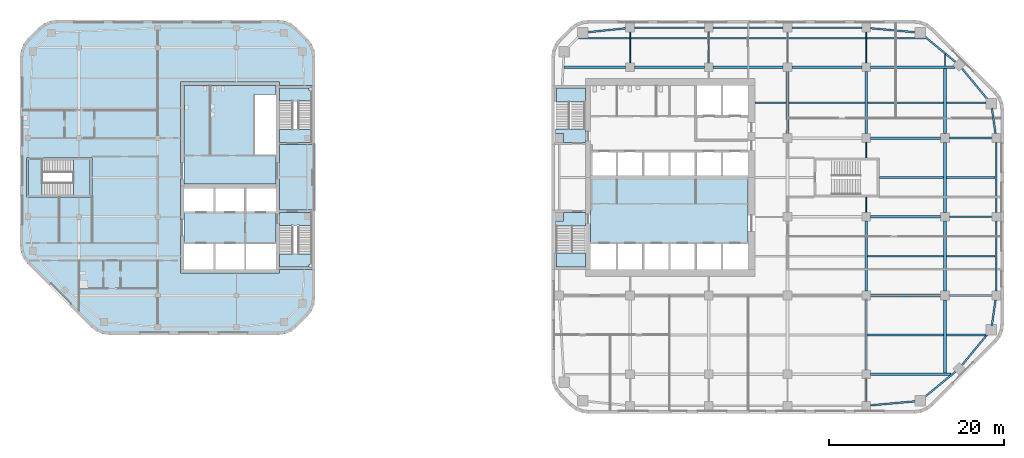
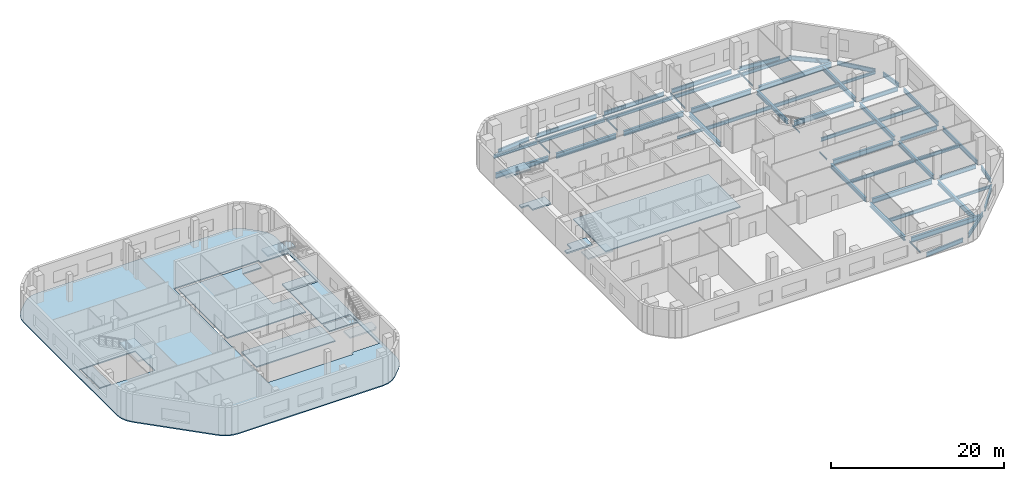
# One storey, part 3 of 14: 57 beams, 14 slabs, 5 elements without a shape of their own.
"""IFC4 building model written with IfcOpenShell, lengths in metres."""

from ifc_helpers import new_model, si_unit, direction, frame, origin, origin_2d, place, context, subcontext, project, spatial, polyline, i_section, outline, extrude, material, layer, layer_set, material_profile, profile_set, type_object, element, aggregate, save


model = new_model("IFC4")

# Units and contexts
model_context = context("Model", 3, precision=1e-05, world=origin(), true_north=direction((0.0, 1.0)))
body_context = subcontext(model_context, "Body", "Model", "MODEL_VIEW")
ifc_project = project(units=[si_unit("LENGTHUNIT", "METRE"), si_unit("AREAUNIT", "SQUARE_METRE"), si_unit("VOLUMEUNIT", "CUBIC_METRE"), si_unit("PLANEANGLEUNIT", "RADIAN"), si_unit("MASSUNIT", "GRAM", prefix="KILO")], contexts=[model_context])

# Site, building, storey
site_placement = place(None, origin())
site = spatial("IfcSite", under=ifc_project, at=site_placement, CompositionType="ELEMENT")
building_placement = place(site_placement, origin())
building = spatial("IfcBuilding", under=site, at=building_placement, Name="Cinnabar Reach Civic Tower", CompositionType="ELEMENT")
storey_placement = place(building_placement, frame((0.0, 0.0, 124.0)))
storey = spatial("IfcBuildingStorey", under=building, at=storey_placement, Name="L29", CompositionType="ELEMENT", Elevation=124.0)

# Beams
ifc_material_1 = material(Name="Steel Q355B", Category="steel")
ifc_material_profile_1 = material_profile(ifc_material_1, i_section(OverallWidth=0.302, OverallDepth=0.594, WebThickness=0.014, FlangeThickness=0.023, FilletRadius=0.016, at=origin_2d()), Name="HM594x302x14x23")
ifc_profile_set_1 = profile_set([ifc_material_profile_1], Name="Steel Q355B")
beam_type_1 = type_object("IfcBeamType", Name="HM594x302x14x23 beam R 180", PredefinedType="BEAM", material=ifc_profile_set_1)
beam_1_placement = place(storey_placement, frame((27.0, 36.502, -0.447), z_axis=(0.0, 1.0, 0.0), x_axis=(-1.0, 0.0, 0.0)))
element("IfcBeam", 1, at=beam_1_placement, inside=storey, type_object=beam_type_1, Name="Girder T1 L29 13", PredefinedType="BEAM", context=body_context, shape_type="SweptSolid", body=[
    extrude(i_section(OverallWidth=0.302, OverallDepth=0.594, WebThickness=0.014, FlangeThickness=0.023, FilletRadius=0.016, at=origin_2d()), origin(), (0.0, 0.0, 1.0), 7.096),
])
for number, where, z_axis, x_axis, name in (
    (2, (36.0, 9.502, -0.447), (0.0, 1.0, 0.0), (-1.0, 0.0, 0.0), "Girder T1 L29 16"),
    (3, (36.0, 18.502, -0.447), (0.0, 1.0, 0.0), (-1.0, 0.0, 0.0), "Girder T1 L29 17"),
):
    element("IfcBeam", number, at=place(storey_placement, frame(where, z_axis=z_axis, x_axis=x_axis)), inside=storey, type_object=beam_type_1, Name=name, PredefinedType="BEAM", context=body_context, shape_type="SweptSolid", body=[
        extrude(i_section(OverallWidth=0.302, OverallDepth=0.594, WebThickness=0.014, FlangeThickness=0.023, FilletRadius=0.016, at=origin_2d()), origin(), (0.0, 0.0, 1.0), 7.996),
    ])
beam_2_placement = place(storey_placement, frame((36.0, 36.502, -0.447), z_axis=(0.0, 1.0, 0.0), x_axis=(-1.0, 0.0, 0.0)))
element("IfcBeam", 4, at=beam_2_placement, inside=storey, type_object=beam_type_1, Name="Girder T1 L29 20", PredefinedType="BEAM", context=body_context, shape_type="SweptSolid", body=[
    extrude(i_section(OverallWidth=0.302, OverallDepth=0.594, WebThickness=0.014, FlangeThickness=0.023, FilletRadius=0.016, at=origin_2d()), origin(), (0.0, 0.0, 1.0), 7.096),
])
beam_3_placement = place(storey_placement, frame((45.0, 9.152, -0.447), z_axis=(0.0, 1.0, 0.0), x_axis=(-1.0, 0.0, 0.0)))
element("IfcBeam", 5, at=beam_3_placement, inside=storey, type_object=beam_type_1, Name="Girder T1 L29 22", PredefinedType="BEAM", context=body_context, shape_type="SweptSolid", body=[
    extrude(i_section(OverallWidth=0.302, OverallDepth=0.594, WebThickness=0.014, FlangeThickness=0.023, FilletRadius=0.016, at=origin_2d()), origin(), (0.0, 0.0, 1.0), 8.346),
])
for number, where, z_axis, x_axis, name in (
    (6, (45.0, 18.502, -0.447), (0.0, 1.0, 0.0), (-1.0, 0.0, 0.0), "Girder T1 L29 23"),
    (7, (45.0, 27.502, -0.447), (0.0, 1.0, 0.0), (-1.0, 0.0, 0.0), "Girder T1 L29 24"),
):
    element("IfcBeam", number, at=place(storey_placement, frame(where, z_axis=z_axis, x_axis=x_axis)), inside=storey, type_object=beam_type_1, Name=name, PredefinedType="BEAM", context=body_context, shape_type="SweptSolid", body=[
        extrude(i_section(OverallWidth=0.302, OverallDepth=0.594, WebThickness=0.014, FlangeThickness=0.023, FilletRadius=0.016, at=origin_2d()), origin(), (0.0, 0.0, 1.0), 7.996),
    ])
beam_4_placement = place(storey_placement, frame((45.0, 36.502, -0.447), z_axis=(0.0, 1.0, 0.0), x_axis=(-1.0, 0.0, 0.0)))
element("IfcBeam", 8, at=beam_4_placement, inside=storey, type_object=beam_type_1, Name="Girder T1 L29 25", PredefinedType="BEAM", context=body_context, shape_type="SweptSolid", body=[
    extrude(i_section(OverallWidth=0.302, OverallDepth=0.594, WebThickness=0.014, FlangeThickness=0.023, FilletRadius=0.016, at=origin_2d()), origin(), (0.0, 0.0, 1.0), 7.446),
])
ifc_material_profile_2 = material_profile(ifc_material_1, i_section(OverallWidth=0.099, OverallDepth=0.198, WebThickness=0.0045, FlangeThickness=0.007, FilletRadius=0.013, at=origin_2d()), Name="HN200x100x5.5x8")
ifc_profile_set_2 = profile_set([ifc_material_profile_2], Name="Steel Q355B")
beam_type_2 = type_object("IfcBeamType", Name="HN200x100x5.5x8 beam R 180", PredefinedType="BEAM", material=ifc_profile_set_2)
for number, where, z_axis, x_axis, name in (
    (9, (9.0, 44.602, -0.249), (0.0, 1.0, 0.0), (-1.0, 0.0, 0.0), "Girder T1 L29 4"),
    (10, (18.0, 44.602, -0.249), (0.0, 1.0, 0.0), (-1.0, 0.0, 0.0), "Girder T1 L29 8"),
    (11, (27.0, 44.602, -0.249), (0.0, 1.0, 0.0), (-1.0, 0.0, 0.0), "Girder T1 L29 14"),
):
    element("IfcBeam", number, at=place(storey_placement, frame(where, z_axis=z_axis, x_axis=x_axis)), inside=storey, type_object=beam_type_2, Name=name, PredefinedType="BEAM", context=body_context, shape_type="SweptSolid", body=[
        extrude(i_section(OverallWidth=0.099, OverallDepth=0.198, WebThickness=0.0045, FlangeThickness=0.007, FilletRadius=0.013, at=origin_2d()), origin(), (0.0, 0.0, 1.0), 3.496),
    ])
beam_5_placement = place(storey_placement, frame((36.0, 5.902, -0.249), z_axis=(0.0, 1.0, 0.0), x_axis=(-1.0, 0.0, 0.0)))
element("IfcBeam", 12, at=beam_5_placement, inside=storey, type_object=beam_type_2, Name="Girder T1 L29 15", PredefinedType="BEAM", context=body_context, shape_type="SweptSolid", body=[
    extrude(i_section(OverallWidth=0.099, OverallDepth=0.198, WebThickness=0.0045, FlangeThickness=0.007, FilletRadius=0.013, at=origin_2d()), origin(), (0.0, 0.0, 1.0), 2.596),
])
for number, where, z_axis, x_axis, name in (
    (13, (36.0, 27.502, -0.249), (0.0, 1.0, 0.0), (-1.0, 0.0, 0.0), "Girder T1 L29 18"),
    (14, (36.0, 33.752, -0.249), (0.0, 1.0, 0.0), (-1.0, 0.0, 0.0), "Girder T1 L29 19"),
):
    element("IfcBeam", number, at=place(storey_placement, frame(where, z_axis=z_axis, x_axis=x_axis)), inside=storey, type_object=beam_type_2, Name=name, PredefinedType="BEAM", context=body_context, shape_type="SweptSolid", body=[
        extrude(i_section(OverallWidth=0.099, OverallDepth=0.198, WebThickness=0.0045, FlangeThickness=0.007, FilletRadius=0.013, at=origin_2d()), origin(), (0.0, 0.0, 1.0), 1.746),
    ])
beam_6_placement = place(storey_placement, frame((36.0, 44.602, -0.249), z_axis=(0.0, 1.0, 0.0), x_axis=(-1.0, 0.0, 0.0)))
element("IfcBeam", 15, at=beam_6_placement, inside=storey, type_object=beam_type_2, Name="Girder T1 L29 21", PredefinedType="BEAM", context=body_context, shape_type="SweptSolid", body=[
    extrude(i_section(OverallWidth=0.099, OverallDepth=0.198, WebThickness=0.0045, FlangeThickness=0.007, FilletRadius=0.013, at=origin_2d()), origin(), (0.0, 0.0, 1.0), 3.496),
])
beam_7_placement = place(storey_placement, frame((45.0, 44.252, -0.249), z_axis=(0.0, 1.0, 0.0), x_axis=(-1.0, 0.0, 0.0)))
element("IfcBeam", 16, at=beam_7_placement, inside=storey, type_object=beam_type_2, Name="Girder T1 L29 26", PredefinedType="BEAM", context=body_context, shape_type="SweptSolid", body=[
    extrude(i_section(OverallWidth=0.099, OverallDepth=0.198, WebThickness=0.0045, FlangeThickness=0.007, FilletRadius=0.013, at=origin_2d()), origin(), (0.0, 0.0, 1.0), 1.3103),
])
ifc_material_profile_3 = material_profile(ifc_material_1, i_section(OverallWidth=0.199, OverallDepth=0.396, WebThickness=0.007, FlangeThickness=0.011, FilletRadius=0.013, at=origin_2d()), Name="HN396x199x7x11")
ifc_profile_set_3 = profile_set([ifc_material_profile_3], Name="Steel Q355B")
beam_type_3 = type_object("IfcBeamType", Name="HN396x199x7x11 beam R 180", PredefinedType="BEAM", material=ifc_profile_set_3)
beam_8_placement = place(storey_placement, frame((45.153, 13.5, -0.348), z_axis=(1.0, 0.0, 0.0), x_axis=(0.0, 1.0, 0.0)))
element("IfcBeam", 17, at=beam_8_placement, inside=storey, type_object=beam_type_3, Name="Secondary beam T1 L29 6", PredefinedType="BEAM", context=body_context, shape_type="SweptSolid", body=[
    extrude(i_section(OverallWidth=0.199, OverallDepth=0.396, WebThickness=0.007, FlangeThickness=0.011, FilletRadius=0.013, at=origin_2d()), origin(), (0.0, 0.0, 1.0), 4.5152),
])
beam_9_placement = place(storey_placement, frame((23.302, 40.05, -0.348), z_axis=(1.0, 0.0, 0.0), x_axis=(0.0, 1.0, 0.0)))
element("IfcBeam", 18, at=beam_9_placement, inside=storey, type_object=beam_type_3, Name="Secondary beam T1 L29 16", PredefinedType="BEAM", context=body_context, shape_type="SweptSolid", body=[
    extrude(i_section(OverallWidth=0.199, OverallDepth=0.396, WebThickness=0.007, FlangeThickness=0.011, FilletRadius=0.013, at=origin_2d()), origin(), (0.0, 0.0, 1.0), 3.545),
])
beam_10_placement = place(storey_placement, frame((45.153, 40.05, -0.348), z_axis=(1.0, 0.0, 0.0), x_axis=(0.0, 1.0, 0.0)))
element("IfcBeam", 19, at=beam_10_placement, inside=storey, type_object=beam_type_3, Name="Secondary beam T1 L29 19", PredefinedType="BEAM", context=body_context, shape_type="SweptSolid", body=[
    extrude(i_section(OverallWidth=0.199, OverallDepth=0.396, WebThickness=0.007, FlangeThickness=0.011, FilletRadius=0.013, at=origin_2d()), origin(), (0.0, 0.0, 1.0), 4.5419),
])
ifc_material_profile_4 = material_profile(ifc_material_1, i_section(OverallWidth=0.199, OverallDepth=0.496, WebThickness=0.009, FlangeThickness=0.014, FilletRadius=0.016, at=origin_2d()), Name="HN496x199x9x14")
ifc_profile_set_4 = profile_set([ifc_material_profile_4], Name="Steel Q355B")
beam_type_4 = type_object("IfcBeamType", Name="HN496x199x9x14 beam R 180", PredefinedType="BEAM", material=ifc_profile_set_4)
for number, where, z_axis, x_axis, name in (
    (20, (36.153, 13.5, -0.398), (1.0, 0.0, 0.0), (0.0, 1.0, 0.0), "Secondary beam T1 L29 5"),
    (21, (36.153, 22.5, -0.398), (1.0, 0.0, 0.0), (0.0, 1.0, 0.0), "Secondary beam T1 L29 9"),
):
    element("IfcBeam", number, at=place(storey_placement, frame(where, z_axis=z_axis, x_axis=x_axis)), inside=storey, type_object=beam_type_4, Name=name, PredefinedType="BEAM", context=body_context, shape_type="SweptSolid", body=[
        extrude(i_section(OverallWidth=0.199, OverallDepth=0.496, WebThickness=0.009, FlangeThickness=0.014, FilletRadius=0.016, at=origin_2d()), origin(), (0.0, 0.0, 1.0), 8.694),
    ])
beam_11_placement = place(storey_placement, frame((45.153, 22.5, -0.398), z_axis=(1.0, 0.0, 0.0), x_axis=(0.0, 1.0, 0.0)))
element("IfcBeam", 22, at=beam_11_placement, inside=storey, type_object=beam_type_4, Name="Secondary beam T1 L29 10", PredefinedType="BEAM", context=body_context, shape_type="SweptSolid", body=[
    extrude(i_section(OverallWidth=0.199, OverallDepth=0.496, WebThickness=0.009, FlangeThickness=0.014, FilletRadius=0.016, at=origin_2d()), origin(), (0.0, 0.0, 1.0), 5.595),
])
beam_12_placement = place(storey_placement, frame((37.502, 31.5, -0.398), z_axis=(1.0, 0.0, 0.0), x_axis=(0.0, 1.0, 0.0)))
element("IfcBeam", 23, at=beam_12_placement, inside=storey, type_object=beam_type_4, Name="Secondary beam T1 L29 14", PredefinedType="BEAM", context=body_context, shape_type="SweptSolid", body=[
    extrude(i_section(OverallWidth=0.199, OverallDepth=0.496, WebThickness=0.009, FlangeThickness=0.014, FilletRadius=0.016, at=origin_2d()), origin(), (0.0, 0.0, 1.0), 7.345),
])
beam_13_placement = place(storey_placement, frame((45.153, 31.5, -0.398), z_axis=(1.0, 0.0, 0.0), x_axis=(0.0, 1.0, 0.0)))
element("IfcBeam", 24, at=beam_13_placement, inside=storey, type_object=beam_type_4, Name="Secondary beam T1 L29 15", PredefinedType="BEAM", context=body_context, shape_type="SweptSolid", body=[
    extrude(i_section(OverallWidth=0.199, OverallDepth=0.496, WebThickness=0.009, FlangeThickness=0.014, FilletRadius=0.016, at=origin_2d()), origin(), (0.0, 0.0, 1.0), 5.595),
])
for number, where, z_axis, x_axis, name in (
    (25, (27.153, 40.05, -0.398), (1.0, 0.0, 0.0), (0.0, 1.0, 0.0), "Secondary beam T1 L29 17"),
    (26, (36.153, 40.05, -0.398), (1.0, 0.0, 0.0), (0.0, 1.0, 0.0), "Secondary beam T1 L29 18"),
):
    element("IfcBeam", number, at=place(storey_placement, frame(where, z_axis=z_axis, x_axis=x_axis)), inside=storey, type_object=beam_type_4, Name=name, PredefinedType="BEAM", context=body_context, shape_type="SweptSolid", body=[
        extrude(i_section(OverallWidth=0.199, OverallDepth=0.496, WebThickness=0.009, FlangeThickness=0.014, FilletRadius=0.016, at=origin_2d()), origin(), (0.0, 0.0, 1.0), 8.694),
    ])
beam_14_placement = place(storey_placement, frame((3.0992, 47.4, -0.398), z_axis=(1.0, 0.0, 0.0), x_axis=(0.0, 1.0, 0.0)))
element("IfcBeam", 27, at=beam_14_placement, inside=storey, type_object=beam_type_4, Name="Secondary beam T1 L29 20", PredefinedType="BEAM", context=body_context, shape_type="SweptSolid", body=[
    extrude(i_section(OverallWidth=0.199, OverallDepth=0.496, WebThickness=0.009, FlangeThickness=0.014, FilletRadius=0.016, at=origin_2d()), origin(), (0.0, 0.0, 1.0), 5.8493),
])
for number, where, z_axis, x_axis, name in (
    (28, (9.0515, 47.4, -0.398), (1.0, 0.0, 0.0), (0.0, 1.0, 0.0), "Secondary beam T1 L29 21"),
    (29, (18.0515, 47.4, -0.398), (1.0, 0.0, 0.0), (0.0, 1.0, 0.0), "Secondary beam T1 L29 22"),
    (30, (27.0515, 47.4, -0.398), (1.0, 0.0, 0.0), (0.0, 1.0, 0.0), "Secondary beam T1 L29 23"),
):
    element("IfcBeam", number, at=place(storey_placement, frame(where, z_axis=z_axis, x_axis=x_axis)), inside=storey, type_object=beam_type_4, Name=name, PredefinedType="BEAM", context=body_context, shape_type="SweptSolid", body=[
        extrude(i_section(OverallWidth=0.199, OverallDepth=0.496, WebThickness=0.009, FlangeThickness=0.014, FilletRadius=0.016, at=origin_2d()), origin(), (0.0, 0.0, 1.0), 8.897),
    ])
beam_15_placement = place(storey_placement, frame((36.0515, 47.4, -0.398), z_axis=(1.0, 0.0, 0.0), x_axis=(0.0, 1.0, 0.0)))
element("IfcBeam", 31, at=beam_15_placement, inside=storey, type_object=beam_type_4, Name="Secondary beam T1 L29 24", PredefinedType="BEAM", context=body_context, shape_type="SweptSolid", body=[
    extrude(i_section(OverallWidth=0.199, OverallDepth=0.496, WebThickness=0.009, FlangeThickness=0.014, FilletRadius=0.016, at=origin_2d()), origin(), (0.0, 0.0, 1.0), 6.7206),
])
ifc_material_profile_5 = material_profile(ifc_material_1, i_section(OverallWidth=0.199, OverallDepth=0.596, WebThickness=0.01, FlangeThickness=0.015, FilletRadius=0.016, at=origin_2d()), Name="HN596x199x10x15")
ifc_profile_set_5 = profile_set([ifc_material_profile_5], Name="Steel Q355B")
beam_type_5 = type_object("IfcBeamType", Name="HN596x199x10x15 beam R 180", PredefinedType="BEAM", material=ifc_profile_set_5)
for number, where, z_axis, x_axis, name in (
    (32, (45.502, 18.0, -0.448), (1.0, 0.0, 0.0), (0.0, 1.0, 0.0), "Girder T1 L29 11"),
    (33, (45.502, 27.0, -0.448), (1.0, 0.0, 0.0), (0.0, 1.0, 0.0), "Girder T1 L29 15"),
    (34, (45.502, 36.0, -0.448), (1.0, 0.0, 0.0), (0.0, 1.0, 0.0), "Girder T1 L29 19"),
):
    element("IfcBeam", number, at=place(storey_placement, frame(where, z_axis=z_axis, x_axis=x_axis)), inside=storey, type_object=beam_type_5, Name=name, PredefinedType="BEAM", context=body_context, shape_type="SweptSolid", body=[
        extrude(i_section(OverallWidth=0.199, OverallDepth=0.596, WebThickness=0.01, FlangeThickness=0.015, FilletRadius=0.016, at=origin_2d()), origin(), (0.0, 0.0, 1.0), 4.846),
    ])
ifc_material_profile_6 = material_profile(ifc_material_1, i_section(OverallWidth=0.2, OverallDepth=0.6, WebThickness=0.011, FlangeThickness=0.017, FilletRadius=0.016, at=origin_2d()), Name="HN600x200x11x17")
ifc_profile_set_6 = profile_set([ifc_material_profile_6], Name="Steel Q355B")
beam_type_6 = type_object("IfcBeamType", Name="HN600x200x11x17 beam R 180", PredefinedType="BEAM", material=ifc_profile_set_6)
beam_16_placement = place(storey_placement, frame((36.502, 5.4452, -0.45), z_axis=(0.995979069281, 0.089586235294, 0.0), x_axis=(-0.089586235294, 0.995979069281, 0.0)))
element("IfcBeam", 35, at=beam_16_placement, inside=storey, type_object=beam_type_6, Name="Edge beam T1 L29 5", PredefinedType="BEAM", context=body_context, shape_type="SweptSolid", body=[
    extrude(i_section(OverallWidth=0.2, OverallDepth=0.6, WebThickness=0.011, FlangeThickness=0.017, FilletRadius=0.016, at=origin_2d()), origin(), (0.0, 0.0, 1.0), 5.1849),
])
for number, where, z_axis, x_axis, name in (
    (36, (42.6301, 6.3507, -0.45), (0.77143827905, 0.6363041581, 0.0), (-0.6363041581, 0.77143827905, 0.0), "Edge beam T1 L29 6"),
    (37, (46.8961, 9.9789, -0.45), (0.6363041581, 0.77143827905, 0.0), (-0.77143827905, 0.6363041581, 0.0), "Edge beam T1 L29 7"),
):
    element("IfcBeam", number, at=place(storey_placement, frame(where, z_axis=z_axis, x_axis=x_axis)), inside=storey, type_object=beam_type_6, Name=name, PredefinedType="BEAM", context=body_context, shape_type="SweptSolid", body=[
        extrude(i_section(OverallWidth=0.2, OverallDepth=0.6, WebThickness=0.011, FlangeThickness=0.017, FilletRadius=0.016, at=origin_2d()), origin(), (0.0, 0.0, 1.0), 4.7198),
    ])
beam_17_placement = place(storey_placement, frame((50.3653, 14.5839, -0.45), z_axis=(0.140489003738, 0.990082238922, 0.0), x_axis=(-0.990082238922, 0.140489003738, 0.0)))
element("IfcBeam", 38, at=beam_17_placement, inside=storey, type_object=beam_type_6, Name="Edge beam T1 L29 8", PredefinedType="BEAM", context=body_context, shape_type="SweptSolid", body=[
    extrude(i_section(OverallWidth=0.2, OverallDepth=0.6, WebThickness=0.011, FlangeThickness=0.017, FilletRadius=0.016, at=origin_2d()), origin(), (0.0, 0.0, 1.0), 2.9433),
])
for number, where, z_axis, x_axis, name in (
    (39, (50.85, 18.502, -0.45), (0.0, 1.0, 0.0), (-1.0, 0.0, 0.0), "Edge beam T1 L29 9"),
    (40, (50.85, 27.502, -0.45), (0.0, 1.0, 0.0), (-1.0, 0.0, 0.0), "Edge beam T1 L29 10"),
):
    element("IfcBeam", number, at=place(storey_placement, frame(where, z_axis=z_axis, x_axis=x_axis)), inside=storey, type_object=beam_type_6, Name=name, PredefinedType="BEAM", context=body_context, shape_type="SweptSolid", body=[
        extrude(i_section(OverallWidth=0.2, OverallDepth=0.6, WebThickness=0.011, FlangeThickness=0.017, FilletRadius=0.016, at=origin_2d()), origin(), (0.0, 0.0, 1.0), 7.996),
    ])
beam_18_placement = place(storey_placement, frame((50.7788, 36.502, -0.45), z_axis=(-0.140489003738, 0.990082238922, 0.0), x_axis=(-0.990082238922, -0.140489003738, 0.0)))
element("IfcBeam", 41, at=beam_18_placement, inside=storey, type_object=beam_type_6, Name="Edge beam T1 L29 11", PredefinedType="BEAM", context=body_context, shape_type="SweptSolid", body=[
    extrude(i_section(OverallWidth=0.2, OverallDepth=0.6, WebThickness=0.011, FlangeThickness=0.017, FilletRadius=0.016, at=origin_2d()), origin(), (0.0, 0.0, 1.0), 2.9433),
])
for number, where, z_axis, x_axis, name in (
    (42, (49.8993, 40.3801, -0.45), (-0.6363041581, 0.77143827905, 0.0), (-0.77143827905, -0.6363041581, 0.0), "Edge beam T1 L29 12"),
    (43, (46.2711, 44.6461, -0.45), (-0.77143827905, 0.6363041581, 0.0), (-0.6363041581, -0.77143827905, 0.0), "Edge beam T1 L29 13"),
):
    element("IfcBeam", number, at=place(storey_placement, frame(where, z_axis=z_axis, x_axis=x_axis)), inside=storey, type_object=beam_type_6, Name=name, PredefinedType="BEAM", context=body_context, shape_type="SweptSolid", body=[
        extrude(i_section(OverallWidth=0.2, OverallDepth=0.6, WebThickness=0.011, FlangeThickness=0.017, FilletRadius=0.016, at=origin_2d()), origin(), (0.0, 0.0, 1.0), 4.7198),
    ])
beam_19_placement = place(storey_placement, frame((41.6661, 48.0903, -0.45), z_axis=(-0.995979069281, 0.089586235294, 0.0), x_axis=(-0.089586235294, -0.995979069281, 0.0)))
element("IfcBeam", 44, at=beam_19_placement, inside=storey, type_object=beam_type_6, Name="Edge beam T1 L29 14", PredefinedType="BEAM", context=body_context, shape_type="SweptSolid", body=[
    extrude(i_section(OverallWidth=0.2, OverallDepth=0.6, WebThickness=0.011, FlangeThickness=0.017, FilletRadius=0.016, at=origin_2d()), origin(), (0.0, 0.0, 1.0), 5.1849),
])
for number, where, z_axis, x_axis, name in (
    (45, (35.498, 48.6, -0.45), (-1.0, 0.0, 0.0), (0.0, -1.0, 0.0), "Edge beam T1 L29 15"),
    (46, (26.498, 48.6, -0.45), (-1.0, 0.0, 0.0), (0.0, -1.0, 0.0), "Edge beam T1 L29 16"),
    (47, (17.498, 48.6, -0.45), (-1.0, 0.0, 0.0), (0.0, -1.0, 0.0), "Edge beam T1 L29 17"),
):
    element("IfcBeam", number, at=place(storey_placement, frame(where, z_axis=z_axis, x_axis=x_axis)), inside=storey, type_object=beam_type_6, Name=name, PredefinedType="BEAM", context=body_context, shape_type="SweptSolid", body=[
        extrude(i_section(OverallWidth=0.2, OverallDepth=0.6, WebThickness=0.011, FlangeThickness=0.017, FilletRadius=0.016, at=origin_2d()), origin(), (0.0, 0.0, 1.0), 7.996),
    ])
beam_20_placement = place(storey_placement, frame((8.498, 48.5486, -0.45), z_axis=(-0.994791228755, -0.101933366432, 0.0), x_axis=(0.101933366432, -0.994791228755, 0.0)))
element("IfcBeam", 48, at=beam_20_placement, inside=storey, type_object=beam_type_6, Name="Edge beam T1 L29 18", PredefinedType="BEAM", context=body_context, shape_type="SweptSolid", body=[
    extrude(i_section(OverallWidth=0.2, OverallDepth=0.6, WebThickness=0.011, FlangeThickness=0.017, FilletRadius=0.016, at=origin_2d()), origin(), (0.0, 0.0, 1.0), 4.4372),
])
ifc_material_profile_7 = material_profile(ifc_material_1, i_section(OverallWidth=0.3, OverallDepth=0.692, WebThickness=0.013, FlangeThickness=0.02, FilletRadius=0.016, at=origin_2d()), Name="HN692x300x13x20")
ifc_profile_set_7 = profile_set([ifc_material_profile_7], Name="Steel Q355B")
beam_type_7 = type_object("IfcBeamType", Name="HN692x300x13x20 beam R 180", PredefinedType="BEAM", material=ifc_profile_set_7)
beam_21_placement = place(storey_placement, frame((36.502, 9.0, -0.496), z_axis=(1.0, 0.0, 0.0), x_axis=(0.0, 1.0, 0.0)))
element("IfcBeam", 49, at=beam_21_placement, inside=storey, type_object=beam_type_7, Name="Girder T1 L29 5", PredefinedType="BEAM", context=body_context, shape_type="SweptSolid", body=[
    extrude(i_section(OverallWidth=0.3, OverallDepth=0.692, WebThickness=0.013, FlangeThickness=0.02, FilletRadius=0.016, at=origin_2d()), origin(), (0.0, 0.0, 1.0), 9.1798),
])
for number, where, z_axis, x_axis, name in (
    (50, (36.502, 18.0, -0.496), (1.0, 0.0, 0.0), (0.0, 1.0, 0.0), "Girder T1 L29 10"),
    (51, (36.502, 27.0, -0.496), (1.0, 0.0, 0.0), (0.0, 1.0, 0.0), "Girder T1 L29 14"),
    (52, (36.502, 36.0, -0.496), (1.0, 0.0, 0.0), (0.0, 1.0, 0.0), "Girder T1 L29 18"),
):
    element("IfcBeam", number, at=place(storey_placement, frame(where, z_axis=z_axis, x_axis=x_axis)), inside=storey, type_object=beam_type_7, Name=name, PredefinedType="BEAM", context=body_context, shape_type="SweptSolid", body=[
        extrude(i_section(OverallWidth=0.3, OverallDepth=0.692, WebThickness=0.013, FlangeThickness=0.02, FilletRadius=0.016, at=origin_2d()), origin(), (0.0, 0.0, 1.0), 7.996),
    ])
beam_22_placement = place(storey_placement, frame((1.4548, 44.1, -0.496), z_axis=(1.0, 0.0, 0.0), x_axis=(0.0, 1.0, 0.0)))
element("IfcBeam", 53, at=beam_22_placement, inside=storey, type_object=beam_type_7, Name="Girder T1 L29 20", PredefinedType="BEAM", context=body_context, shape_type="SweptSolid", body=[
    extrude(i_section(OverallWidth=0.3, OverallDepth=0.692, WebThickness=0.013, FlangeThickness=0.02, FilletRadius=0.016, at=origin_2d()), origin(), (0.0, 0.0, 1.0), 7.0432),
])
for number, where, z_axis, x_axis, name in (
    (54, (9.502, 44.1, -0.496), (1.0, 0.0, 0.0), (0.0, 1.0, 0.0), "Girder T1 L29 21"),
    (55, (18.502, 44.1, -0.496), (1.0, 0.0, 0.0), (0.0, 1.0, 0.0), "Girder T1 L29 22"),
    (56, (27.502, 44.1, -0.496), (1.0, 0.0, 0.0), (0.0, 1.0, 0.0), "Girder T1 L29 23"),
):
    element("IfcBeam", number, at=place(storey_placement, frame(where, z_axis=z_axis, x_axis=x_axis)), inside=storey, type_object=beam_type_7, Name=name, PredefinedType="BEAM", context=body_context, shape_type="SweptSolid", body=[
        extrude(i_section(OverallWidth=0.3, OverallDepth=0.692, WebThickness=0.013, FlangeThickness=0.02, FilletRadius=0.016, at=origin_2d()), origin(), (0.0, 0.0, 1.0), 7.996),
    ])
beam_23_placement = place(storey_placement, frame((36.502, 44.1, -0.496), z_axis=(1.0, 0.0, 0.0), x_axis=(0.0, 1.0, 0.0)))
element("IfcBeam", 57, at=beam_23_placement, inside=storey, type_object=beam_type_7, Name="Girder T1 L29 24", PredefinedType="BEAM", context=body_context, shape_type="SweptSolid", body=[
    extrude(i_section(OverallWidth=0.3, OverallDepth=0.692, WebThickness=0.013, FlangeThickness=0.02, FilletRadius=0.016, at=origin_2d()), origin(), (0.0, 0.0, 1.0), 9.6653),
])

# Slab
ifc_material_2 = material(Name="Concrete C40", Category="concrete")
ifc_layer_1 = layer(ifc_material_2, 0.15)
ifc_layer_set_1 = layer_set([ifc_layer_1], Name="Composite floor slab 150 REI 120")
slab_type_1 = type_object("IfcSlabType", Name="Composite floor slab 150 REI 120", PredefinedType="FLOOR", material=ifc_layer_set_1)
slab_1_placement = place(storey_placement, frame((0.0, 0.0, -0.15)))
element("IfcSlab", 58, at=slab_1_placement, inside=storey, type_object=slab_type_1, Name="Composite floor slab 150 T2 L29", PredefinedType="FLOOR", context=body_context, shape_type="SweptSolid", body=[
    extrude(outline(polyline([(-59.8713, 21.6213), (-60.3481, 22.2426), (-60.6478, 22.9662), (-60.75, 23.7426), (-60.75, 45.2574), (-60.6478, 46.0338), (-60.3481, 46.7574), (-59.8713, 47.3787), (-58.6287, 48.6213), (-58.0074, 49.0981), (-57.2838, 49.3978), (-56.5074, 49.5), (-31.2426, 49.5), (-30.4662, 49.3978), (-29.7426, 49.0981), (-29.1213, 48.6213), (-27.8787, 47.3787), (-27.4019, 46.7574), (-27.1022, 46.0338), (-27.0, 45.2574), (-27.0, 17.7426), (-27.1022, 16.9662), (-27.4019, 16.2426), (-27.8787, 15.6213), (-29.1213, 14.3787), (-29.7426, 13.9019), (-30.4662, 13.6022), (-31.2426, 13.5), (-50.5074, 13.5), (-51.2838, 13.6022), (-52.0074, 13.9019), (-52.6287, 14.3787), (-59.8713, 21.6213)]), holes=[polyline([(-31.1, 27.75), (-31.1, 35.25), (-27.36, 35.25), (-27.36, 42.0), (-31.1, 42.0), (-31.1, 42.4), (-42.4, 42.4), (-42.4, 20.6), (-31.1, 20.6), (-31.1, 21.0), (-27.36, 21.0), (-27.36, 27.75), (-31.1, 27.75)]), polyline([(-60.0, 33.75), (-60.0, 29.25), (-52.5, 29.25), (-52.5, 33.75), (-60.0, 33.75)])]), origin(), (0.0, 0.0, 1.0), 0.15),
])

# Stair, slabs
ifc_material_3 = material(Name="Concrete C40/50", Category="concrete")
stair_type_1 = type_object("IfcStairType", Name="T1 Exit stair, half-turn", PredefinedType="HALF_TURN_STAIR", material=ifc_material_3)
stair_1_placement = place(storey_placement, origin())
stair_1 = element("IfcStair", 59, at=stair_1_placement, inside=storey, type_object=stair_type_1, Name="Stair T1-S1", PredefinedType="HALF_TURN_STAIR")
ifc_layer_2 = layer(ifc_material_3, 0.2)
ifc_layer_set_2 = layer_set([ifc_layer_2], Name="T1 Stair landing 200, Concrete C40/50")
slab_type_2 = type_object("IfcSlabType", Name="T1 Stair landing 200, Concrete C40/50", PredefinedType="LANDING", material=ifc_layer_set_2)
slab_2_placement = place(storey_placement, frame((0.0, 0.0, -0.2)))
slab_2 = element("IfcSlab", 60, at=slab_2_placement, type_object=slab_type_2, Name="T1-S1 landing 1", PredefinedType="LANDING", context=body_context, shape_type="SweptSolid", body=[
    extrude(outline(polyline([(3.9, 27.5), (3.9, 25.95), (0.5, 25.95), (0.5, 26.5), (1.4, 26.5), (1.4, 27.5), (3.9, 27.5)])), origin(), (0.0, 0.0, 1.0), 0.2),
])
slab_3_placement = place(storey_placement, frame((0.0, 0.0, 1.8)))
slab_3 = element("IfcSlab", 61, at=slab_3_placement, type_object=slab_type_2, Name="T1-S1 landing 2", PredefinedType="LANDING", context=body_context, shape_type="SweptSolid", body=[
    extrude(outline(polyline([(0.6, 21.25), (0.6, 22.87), (3.9, 22.87), (3.9, 21.25), (0.6, 21.25)])), origin(), (0.0, 0.0, 1.0), 0.2),
])
aggregate(stair_1, [slab_2, slab_3])

stair_2_placement = place(storey_placement, origin())
stair_2 = element("IfcStair", 62, at=stair_2_placement, inside=storey, type_object=stair_type_1, Name="Stair T1-S2", PredefinedType="HALF_TURN_STAIR")
slab_4_placement = place(storey_placement, frame((0.0, 0.0, -0.2)))
slab_4 = element("IfcSlab", 63, at=slab_4_placement, type_object=slab_type_2, Name="T1-S2 landing 1", PredefinedType="LANDING", context=body_context, shape_type="SweptSolid", body=[
    extrude(outline(polyline([(0.5, 37.05), (3.9, 37.05), (3.9, 35.5), (1.4, 35.5), (1.4, 36.5), (0.5, 36.5), (0.5, 37.05)])), origin(), (0.0, 0.0, 1.0), 0.2),
])
slab_5_placement = place(storey_placement, frame((0.0, 0.0, 1.8)))
slab_5 = element("IfcSlab", 64, at=slab_5_placement, type_object=slab_type_2, Name="T1-S2 landing 2", PredefinedType="LANDING", context=body_context, shape_type="SweptSolid", body=[
    extrude(outline(polyline([(0.6, 40.13), (0.6, 41.75), (3.9, 41.75), (3.9, 40.13), (0.6, 40.13)])), origin(), (0.0, 0.0, 1.0), 0.2),
])
aggregate(stair_2, [slab_4, slab_5])

# Slabs
ifc_layer_3 = layer(ifc_material_3, 0.15)
ifc_layer_set_3 = layer_set([ifc_layer_3], Name="T1 core floor slab 150")
slab_type_3 = type_object("IfcSlabType", Name="T1 core floor slab 150", PredefinedType="FLOOR", material=ifc_layer_set_3)
slab_6_placement = place(storey_placement, frame((0.0, 0.0, -0.15)))
element("IfcSlab", 65, at=slab_6_placement, inside=storey, type_object=slab_type_3, Name="Core floor slab L29", PredefinedType="FLOOR", context=body_context, shape_type="SweptSolid", body=[
    extrude(outline(polyline([(22.5, 24.0), (19.5, 24.0), (16.5, 24.0), (13.5, 24.0), (10.5, 24.0), (7.5, 24.0), (4.5, 24.0), (4.5, 31.5), (7.5, 31.5), (10.5, 31.5), (13.5, 31.5), (16.5, 31.5), (19.5, 31.5), (22.5, 31.5), (22.5, 24.0)])), origin(), (0.0, 0.0, 1.0), 0.15),
])
ifc_layer_4 = layer(ifc_material_2, 0.15)
ifc_layer_set_4 = layer_set([ifc_layer_4], Name="T2 Core floor slab 150")
slab_type_4 = type_object("IfcSlabType", Name="T2 Core floor slab 150", PredefinedType="FLOOR", material=ifc_layer_set_4)
slab_7_placement = place(storey_placement, frame((0.0, 0.0, -0.15)))
element("IfcSlab", 66, at=slab_7_placement, inside=storey, type_object=slab_type_4, Name="Core floor slab L29", PredefinedType="FLOOR", context=body_context, shape_type="SweptSolid", body=[
    extrude(outline(polyline([(-42.0, 42.0), (-31.5, 42.0), (-31.5, 41.0), (-34.0, 41.0), (-34.0, 34.0), (-31.5, 34.0), (-31.5, 30.75), (-42.0, 30.75), (-42.0, 42.0)])), origin(), (0.0, 0.0, 1.0), 0.15),
])
slab_8_placement = place(storey_placement, frame((0.0, 0.0, -0.15)))
element("IfcSlab", 67, at=slab_8_placement, inside=storey, type_object=slab_type_4, Name="Core floor slab L29", PredefinedType="FLOOR", context=body_context, shape_type="SweptSolid", body=[
    extrude(outline(polyline([(-35.0, 24.0), (-38.5, 24.0), (-42.0, 24.0), (-42.0, 27.5), (-38.5, 27.5), (-35.0, 27.5), (-31.5, 27.5), (-31.5, 24.0), (-35.0, 24.0)])), origin(), (0.0, 0.0, 1.0), 0.15),
])

# Stair, slabs
stair_type_2 = type_object("IfcStairType", Name="T2 Exit stair 1500", PredefinedType="HALF_TURN_STAIR", material=ifc_material_2)
stair_3_placement = place(storey_placement, origin())
stair_3 = element("IfcStair", 68, at=stair_3_placement, inside=storey, type_object=stair_type_2, Name="Exit stair 1", PredefinedType="HALF_TURN_STAIR")
ifc_layer_5 = layer(ifc_material_2, 0.2)
ifc_layer_set_5 = layer_set([ifc_layer_5], Name="T2 Stair landing 200")
slab_type_5 = type_object("IfcSlabType", Name="T2 Stair landing 200", PredefinedType="LANDING", material=ifc_layer_set_5)
slab_9_placement = place(storey_placement, frame((0.0, 0.0, -0.2)))
slab_9 = element("IfcSlab", 69, at=slab_9_placement, type_object=slab_type_5, Name="ST1 landing 1", PredefinedType="LANDING", context=body_context, shape_type="SweptSolid", body=[
    extrude(outline(polyline([(-31.1, 26.0), (-31.1, 27.5), (-27.4, 27.5), (-27.4, 26.0), (-31.1, 26.0)])), origin(), (0.0, 0.0, 1.0), 0.2),
])
slab_10_placement = place(storey_placement, frame((0.0, 0.0, 1.8)))
slab_10 = element("IfcSlab", 70, at=slab_10_placement, type_object=slab_type_5, Name="ST1 landing 2", PredefinedType="LANDING", context=body_context, shape_type="SweptSolid", body=[
    extrude(outline(polyline([(-31.1, 21.25), (-31.1, 22.75), (-27.4, 22.75), (-27.4, 21.55), (-27.7, 21.55), (-27.7, 21.25), (-31.1, 21.25)])), origin(), (0.0, 0.0, 1.0), 0.2),
])
aggregate(stair_3, [slab_9, slab_10])

stair_4_placement = place(storey_placement, origin())
stair_4 = element("IfcStair", 71, at=stair_4_placement, inside=storey, type_object=stair_type_2, Name="Exit stair 2", PredefinedType="HALF_TURN_STAIR")
slab_11_placement = place(storey_placement, frame((0.0, 0.0, -0.2)))
slab_11 = element("IfcSlab", 72, at=slab_11_placement, type_object=slab_type_5, Name="ST2 landing 1", PredefinedType="LANDING", context=body_context, shape_type="SweptSolid", body=[
    extrude(outline(polyline([(-31.1, 35.5), (-31.1, 37.0), (-27.4, 37.0), (-27.4, 35.5), (-31.1, 35.5)])), origin(), (0.0, 0.0, 1.0), 0.2),
])
slab_12_placement = place(storey_placement, frame((0.0, 0.0, 1.8)))
slab_12 = element("IfcSlab", 73, at=slab_12_placement, type_object=slab_type_5, Name="ST2 landing 2", PredefinedType="LANDING", context=body_context, shape_type="SweptSolid", body=[
    extrude(outline(polyline([(-27.4, 40.25), (-31.1, 40.25), (-31.1, 41.75), (-27.7, 41.75), (-27.7, 41.45), (-27.4, 41.45), (-27.4, 40.25)])), origin(), (0.0, 0.0, 1.0), 0.2),
])
aggregate(stair_4, [slab_11, slab_12])

stair_5_placement = place(storey_placement, origin())
stair_5 = element("IfcStair", 74, at=stair_5_placement, inside=storey, type_object=stair_type_2, Name="Exit stair 3", PredefinedType="HALF_TURN_STAIR")
slab_13_placement = place(storey_placement, frame((0.0, 0.0, -0.2)))
slab_13 = element("IfcSlab", 75, at=slab_13_placement, type_object=slab_type_5, Name="ST3 landing 1", PredefinedType="LANDING", context=body_context, shape_type="SweptSolid", body=[
    extrude(outline(polyline([(-59.75, 29.375), (-59.75, 33.625), (-58.25, 33.625), (-58.25, 29.375), (-59.75, 29.375)])), origin(), (0.0, 0.0, 1.0), 0.2),
])
slab_14_placement = place(storey_placement, frame((0.0, 0.0, 1.8)))
slab_14 = element("IfcSlab", 76, at=slab_14_placement, type_object=slab_type_5, Name="ST3 landing 2", PredefinedType="LANDING", context=body_context, shape_type="SweptSolid", body=[
    extrude(outline(polyline([(-54.65, 29.375), (-54.65, 33.625), (-52.75, 33.625), (-52.75, 29.375), (-54.65, 29.375)])), origin(), (0.0, 0.0, 1.0), 0.2),
])
aggregate(stair_5, [slab_13, slab_14])

save(model, "model.ifc")
